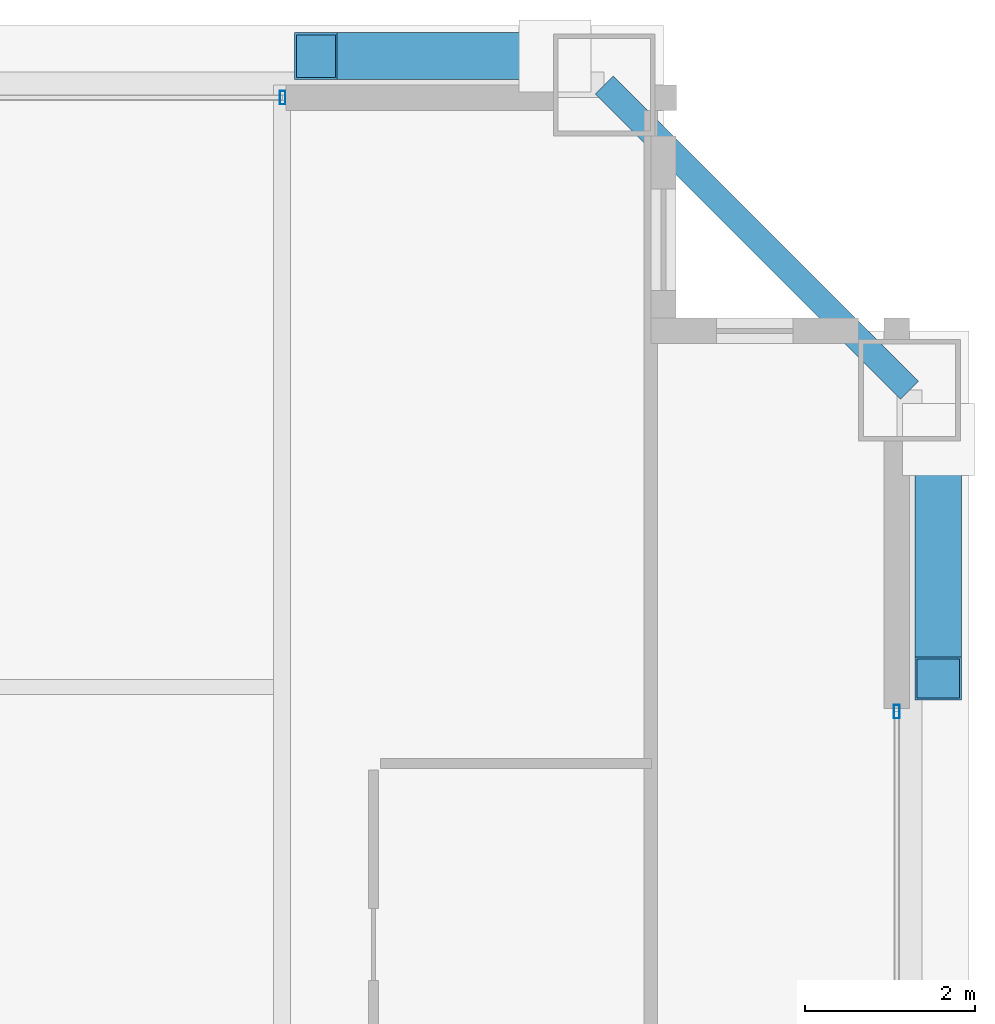
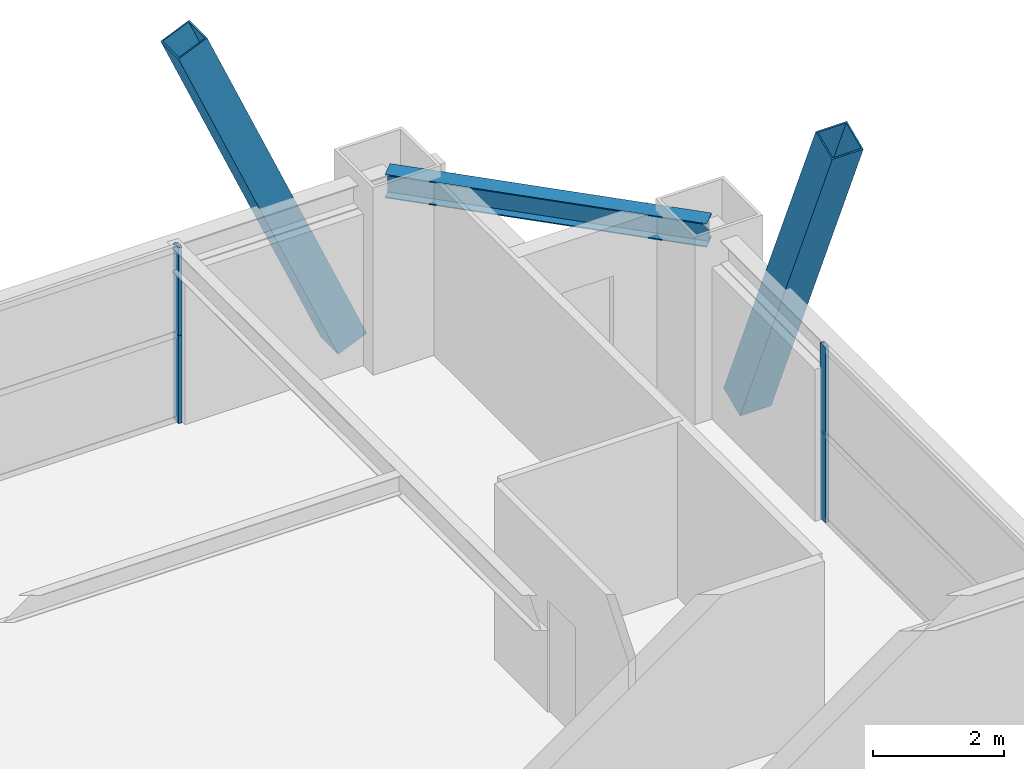
# One storey, part 29 of 35: 6 members, 1 beam, 2 elements without a shape of their own.
"""IFC4 building model written with IfcOpenShell, lengths in metres."""

from ifc_helpers import new_model, si_unit, direction, frame, origin, origin_2d, place, context, subcontext, project, spatial, hollow_rectangle, i_section, extrude, source, transform, mapped, material, layer, layer_set, material_profile, profile_set, type_object, element, aggregate, save


model = new_model("IFC4")

# Units and contexts
model_context = context("Model", 3, precision=1e-05, world=origin(), true_north=direction((0.0, 1.0)))
body_context = subcontext(model_context, "Body", "Model", "MODEL_VIEW")
ifc_project = project(units=[si_unit("LENGTHUNIT", "METRE"), si_unit("AREAUNIT", "SQUARE_METRE"), si_unit("VOLUMEUNIT", "CUBIC_METRE"), si_unit("PLANEANGLEUNIT", "RADIAN"), si_unit("MASSUNIT", "GRAM", prefix="KILO"), si_unit("THERMODYNAMICTEMPERATUREUNIT", "KELVIN"), si_unit("POWERUNIT", "WATT")], contexts=[model_context])

# Site, building, storey
site_placement = place(None, origin())
site = spatial("IfcSite", under=ifc_project, at=site_placement, CompositionType="ELEMENT")
building_placement = place(site_placement, origin())
building = spatial("IfcBuilding", under=site, at=building_placement, Name="Yuzanri Waterfront Tower", CompositionType="ELEMENT")
storey_placement = place(building_placement, frame((0.0, 0.0, 271.60009765625)))
storey = spatial("IfcBuildingStorey", under=building, at=storey_placement, Name="L72", CompositionType="ELEMENT", Elevation=271.60009765625)

# Beam
ifc_material_1 = material(Name="Steel Q355B", Category="steel")
ifc_material_profile_1 = material_profile(ifc_material_1, i_section(OverallWidth=0.300048828125, OverallDepth=0.43994140625, WebThickness=0.010986328125, FlangeThickness=0.01806640625, at=origin_2d()), Name="HM 440x300x11x18")
ifc_profile_set_1 = profile_set([ifc_material_profile_1], Name="Steel Q355B")
beam_type = type_object("IfcBeamType", Name="Perimeter Spandrel Q355B HM 440x300", PredefinedType="SPANDREL", material=ifc_profile_set_1)
shared_shape_1 = source(origin(), body_context, "Body", "SweptSolid", [
    extrude(i_section(OverallWidth=0.300048828125, OverallDepth=0.43994140625, WebThickness=0.010986328125, FlangeThickness=0.01806640625, at=origin_2d()), origin(), (0.0, 0.0, 1.0), 5.091064453125),
])
beam_placement = place(storey_placement, frame((57.60009765625, 42.800048828125, 3.059814453125), z_axis=(-0.707130757816, 0.707082803744, 0.0), x_axis=(-0.707082803744, -0.707130757816, 0.0)))
element("IfcBeam", 1, at=beam_placement, inside=storey, type_object=beam_type, Name="L72 Perimeter Spandrel E3-N3", PredefinedType="SPANDREL", context=body_context, shape_type="MappedRepresentation", body=[
    mapped(shared_shape_1, transform((0.0, 0.0, 0.0), scale=1.0)),
])

# Members
ifc_material_2 = material(Name="Steel Q390GJC", Category="steel")
ifc_material_profile_2 = material_profile(ifc_material_2, hollow_rectangle(XDim=0.550048828125, YDim=0.550048828125, WallThickness=0.02490234375, at=origin_2d()), Name="RHS 550x550x25")
ifc_profile_set_2 = profile_set([ifc_material_profile_2], Name="Steel Q390GJC")
member_type_1 = type_object("IfcMemberType", Name="Mega Brace Mid Q390GJC RHS 550x550x25", PredefinedType="BRACE", material=ifc_profile_set_2)
shared_shape_2 = source(origin(), body_context, "Body", "SweptSolid", [
    extrude(hollow_rectangle(XDim=0.550048828125, YDim=0.550048828125, WallThickness=0.02490234375, at=origin_2d()), origin(), (0.0, 0.0, 1.0), 7.085205078125),
])
member_1_placement = place(storey_placement, frame((53.419921875, 46.739990234375, 0.179931640625), z_axis=(-0.397982599681, 0.0, 0.917392963975), x_axis=(0.0, -1.0, 0.0)))
element("IfcMember", 2, at=member_1_placement, inside=storey, type_object=member_type_1, Name="L72-L73 Perimeter Mega-Brace N-R", PredefinedType="BRACE", context=body_context, shape_type="MappedRepresentation", body=[
    mapped(shared_shape_2, transform((0.0, 0.0, 0.0), scale=1.0)),
])
shared_shape_3 = source(origin(), body_context, "Body", "SweptSolid", [
    extrude(hollow_rectangle(XDim=0.550048828125, YDim=0.550048828125, WallThickness=0.02490234375, at=origin_2d()), origin(), (0.0, 0.0, 1.0), 7.08544921875),
])
member_2_placement = place(storey_placement, frame((57.93994140625, 42.219970703125, 0.179931640625), z_axis=(0.0, -0.398011598745, 0.917380383082), x_axis=(1.0, 0.0, 0.0)))
element("IfcMember", 3, at=member_2_placement, inside=storey, type_object=member_type_1, Name="L72-L73 Perimeter Mega-Brace E-R", PredefinedType="BRACE", context=body_context, shape_type="MappedRepresentation", body=[
    mapped(shared_shape_3, transform((0.0, 0.0, 0.0), scale=1.0)),
])

# Curtain wall, members
ifc_material_3 = material(Name="Anodized Architectural Bronze", Category="metal")
ifc_layer = layer(ifc_material_3, 0.159912109375)
ifc_layer_set = layer_set([ifc_layer], Name="Anodized Architectural Bronze")
curtain_wall_type = type_object("IfcCurtainWallType", Name="Anodized Bronze Mid-Rise Residential Acoustic Unitized Curtain Wall 7200", PredefinedType="NOTDEFINED", material=ifc_layer_set)
curtain_wall_1_placement = place(storey_placement, origin())
curtain_wall_1 = element("IfcCurtainWall", 4, at=curtain_wall_1_placement, inside=storey, type_object=curtain_wall_type, Name="L72 Curtain Wall CW-L72-NR", PredefinedType="NOTDEFINED")
ifc_material_4 = material(Name="Anodized Architectural Bronze", Category="metal")
ifc_material_profile_3 = material_profile(ifc_material_4, hollow_rectangle(XDim=0.06494140625, YDim=0.159912109375, WallThickness=0.00341796875, at=origin_2d()), Name="CWM 65x160")
ifc_profile_set_3 = profile_set([ifc_material_profile_3], Name="Anodized Architectural Bronze")
member_type_2 = type_object("IfcMemberType", Name="Anodized Bronze Upper-Zone Curtain-Wall Mullion 65x160", PredefinedType="MULLION", material=ifc_profile_set_3)
shared_shape_4 = source(origin(), body_context, "Body", "SweptSolid", [
    extrude(hollow_rectangle(XDim=0.06494140625, YDim=0.159912109375, WallThickness=0.00341796875, at=origin_2d()), origin(), (0.0, 0.0, 1.0), 1.637939453125),
])
member_3_placement = place(storey_placement, frame((50.2099609375, 46.25, 0.0), z_axis=(0.0, 0.0, 1.0), x_axis=(1.0, 0.0, 0.0)))
member_3 = element("IfcMember", 5, at=member_3_placement, type_object=member_type_2, Name="CW-L72-NR Lower Mullion 02", PredefinedType="MULLION", context=body_context, shape_type="MappedRepresentation", body=[
    mapped(shared_shape_4, transform((0.0, 0.0, 0.0), scale=1.0)),
])
member_4_placement = place(storey_placement, frame((50.2099609375, 46.25, 1.641845703125), z_axis=(0.0, 0.0, 1.0), x_axis=(1.0, 0.0, 0.0)))
member_4 = element("IfcMember", 6, at=member_4_placement, type_object=member_type_2, Name="CW-L72-NR Upper Mullion 02", PredefinedType="MULLION", context=body_context, shape_type="MappedRepresentation", body=[
    mapped(shared_shape_4, transform((0.0, 0.0, 0.0), scale=1.0)),
])
aggregate(curtain_wall_1, [member_3, member_4])

curtain_wall_2_placement = place(storey_placement, origin())
curtain_wall_2 = element("IfcCurtainWall", 7, at=curtain_wall_2_placement, inside=storey, type_object=curtain_wall_type, Name="L72 Curtain Wall CW-L72-ER", PredefinedType="NOTDEFINED")
member_5_placement = place(storey_placement, frame((57.449951171875, 39.010009765625, 0.0), z_axis=(0.0, 0.0, 1.0), x_axis=(1.0, 0.0, 0.0)))
member_5 = element("IfcMember", 8, at=member_5_placement, type_object=member_type_2, Name="CW-L72-ER Lower Mullion 02", PredefinedType="MULLION", context=body_context, shape_type="MappedRepresentation", body=[
    mapped(shared_shape_4, transform((0.0, 0.0, 0.0), scale=1.0)),
])
member_6_placement = place(storey_placement, frame((57.449951171875, 39.010009765625, 1.641845703125), z_axis=(0.0, 0.0, 1.0), x_axis=(1.0, 0.0, 0.0)))
member_6 = element("IfcMember", 9, at=member_6_placement, type_object=member_type_2, Name="CW-L72-ER Upper Mullion 02", PredefinedType="MULLION", context=body_context, shape_type="MappedRepresentation", body=[
    mapped(shared_shape_4, transform((0.0, 0.0, 0.0), scale=1.0)),
])
aggregate(curtain_wall_2, [member_5, member_6])

save(model, "model.ifc")
